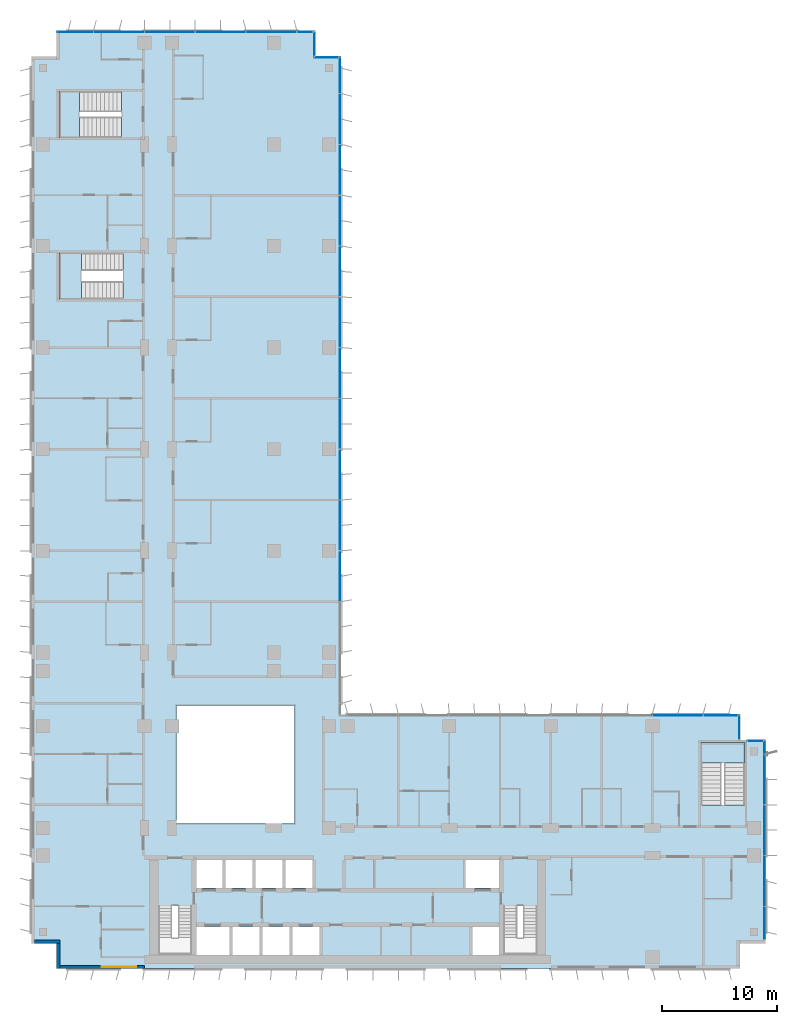
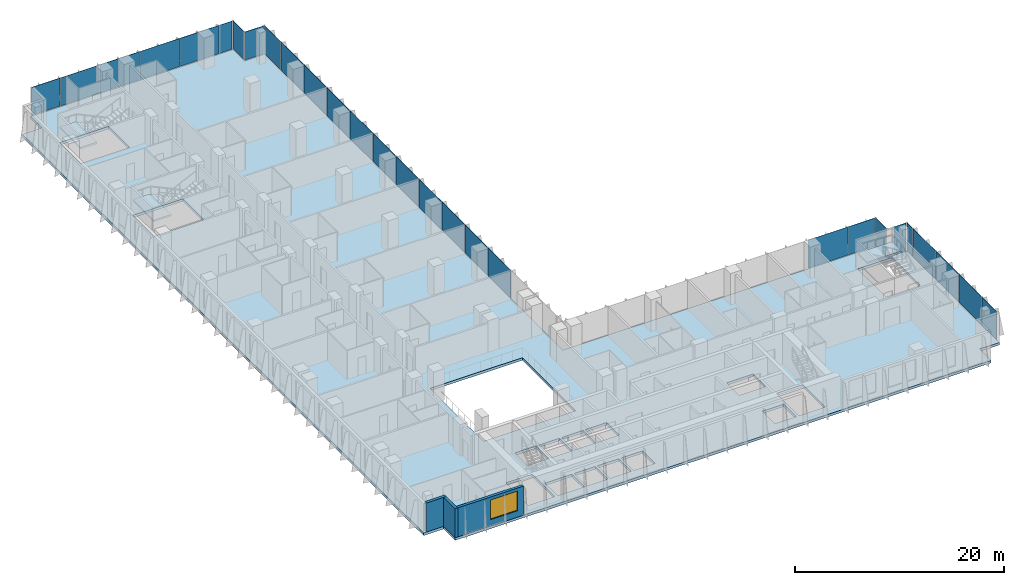
# One storey, part 11 of 22: 28 plates, 4 slabs, 3 walls, 1 window, 1 opening, 11 elements without a shape of their own.
"""IFC4 building model written with IfcOpenShell, lengths in metres."""

from ifc_helpers import new_model, si_unit, direction, frame, frame_2d, origin, origin_2d, place, context, subcontext, project, spatial, polyline, rectangle, outline, extrude, source, transform, mapped, material, layer, layer_set, type_object, element, fill, aggregate, save


model = new_model("IFC4")

# Units and contexts
model_context = context("Model", 3, precision=1e-05, world=origin(), true_north=direction((0.0, 1.0)))
body_context = subcontext(model_context, "Body", "Model", "MODEL_VIEW")
ifc_project = project(units=[si_unit("LENGTHUNIT", "METRE"), si_unit("AREAUNIT", "SQUARE_METRE"), si_unit("VOLUMEUNIT", "CUBIC_METRE"), si_unit("PLANEANGLEUNIT", "RADIAN"), si_unit("MASSUNIT", "GRAM", prefix="KILO")], contexts=[model_context])

# Site, building, storey
site_placement = place(None, origin())
site = spatial("IfcSite", under=ifc_project, at=site_placement, CompositionType="ELEMENT")
building_placement = place(site_placement, origin())
building = spatial("IfcBuilding", under=site, at=building_placement, Name="Kemantara Hotel Tower", CompositionType="ELEMENT")
storey_placement = place(building_placement, frame((0.0, 0.0, 145.699951171875)))
storey = spatial("IfcBuildingStorey", under=building, at=storey_placement, Name="L35", CompositionType="ELEMENT", Elevation=145.699951171875)

# Slab
ifc_material_1 = material(Name="Concrete fc 40 MPa", Category="concrete")
ifc_layer_1 = layer(ifc_material_1, 0.300048828125)
ifc_layer_set_1 = layer_set([ifc_layer_1], Name="Concrete fc 40 MPa")
slab_type_1 = type_object("IfcSlabType", Name="POST-TENSIONED FLAT PLATE 300", PredefinedType="FLOOR", material=ifc_layer_set_1)
slab_1_placement = place(storey_placement, frame((0.0, 0.0, -0.300048828125)))
element("IfcSlab", 1, at=slab_1_placement, inside=storey, type_object=slab_type_1, Name="FLOOR SLAB L35", PredefinedType="FLOOR", context=body_context, shape_type="SweptSolid", body=[
    extrude(outline(polyline([(26.800048828125, 79.0), (24.60009765625, 79.0), (24.60009765625, 81.199951171875), (2.199951171875, 81.199951171875), (2.199951171875, 79.0), (0.0, 79.0), (0.0, 2.199951171875), (2.199951171875, 2.199951171875), (2.199951171875, 0.0), (61.39990234375, 0.0), (61.39990234375, 2.199951171875), (63.60009765625, 2.199951171875), (63.60009765625, 19.800048828125), (61.39990234375, 19.800048828125), (61.39990234375, 22.0), (26.800048828125, 22.0), (26.800048828125, 79.0)]), holes=[polyline([(17.175048828125, 1.199951171875), (14.22509765625, 1.199951171875), (14.22509765625, 3.60009765625), (17.175048828125, 3.60009765625), (17.175048828125, 1.199951171875)]), polyline([(19.77490234375, 1.199951171875), (17.425048828125, 1.199951171875), (17.425048828125, 3.60009765625), (19.77490234375, 3.60009765625), (19.77490234375, 1.199951171875)]), polyline([(11.0, 1.199951171875), (11.0, 5.49951171875), (13.89990234375, 5.49951171875), (13.89990234375, 1.199951171875), (11.0, 1.199951171875)]), polyline([(16.574951171875, 7.0), (14.22509765625, 7.0), (14.22509765625, 9.39990234375), (16.574951171875, 9.39990234375), (16.574951171875, 7.0)]), polyline([(19.175048828125, 7.0), (16.824951171875, 7.0), (16.824951171875, 9.39990234375), (19.175048828125, 9.39990234375), (19.175048828125, 7.0)]), polyline([(22.800048828125, 12.60009765625), (12.60009765625, 12.60009765625), (12.60009765625, 22.800048828125), (22.800048828125, 22.800048828125), (22.800048828125, 12.60009765625)]), polyline([(2.39990234375, 62.0), (7.949462890625, 62.0), (7.949462890625, 58.0), (2.39990234375, 58.0), (2.39990234375, 62.0)]), polyline([(2.39990234375, 76.0), (7.79931640625, 76.0), (7.79931640625, 72.0), (2.39990234375, 72.0), (2.39990234375, 76.0)]), polyline([(22.375, 1.199951171875), (20.02490234375, 1.199951171875), (20.02490234375, 3.60009765625), (22.375, 3.60009765625), (22.375, 1.199951171875)]), polyline([(24.97509765625, 1.199951171875), (22.625, 1.199951171875), (22.625, 3.60009765625), (24.97509765625, 3.60009765625), (24.97509765625, 1.199951171875)]), polyline([(40.574951171875, 1.199951171875), (38.22509765625, 1.199951171875), (38.22509765625, 3.60009765625), (40.574951171875, 3.60009765625), (40.574951171875, 1.199951171875)]), polyline([(40.89990234375, 1.199951171875), (40.89990234375, 5.49951171875), (43.800048828125, 5.49951171875), (43.800048828125, 1.199951171875), (40.89990234375, 1.199951171875)]), polyline([(21.77490234375, 7.0), (19.425048828125, 7.0), (19.425048828125, 9.39990234375), (21.77490234375, 9.39990234375), (21.77490234375, 7.0)]), polyline([(24.375, 7.0), (22.02490234375, 7.0), (22.02490234375, 9.39990234375), (24.375, 9.39990234375), (24.375, 7.0)]), polyline([(40.574951171875, 7.0), (37.625, 7.0), (37.625, 9.39990234375), (40.574951171875, 9.39990234375), (40.574951171875, 7.0)]), polyline([(61.800048828125, 19.60009765625), (61.800048828125, 14.20068359375), (58.0, 14.20068359375), (58.0, 19.60009765625), (61.800048828125, 19.60009765625)])]), origin(), (0.0, 0.0, 1.0), 0.300048828125),
])

# Stair, slab
stair_type_1 = type_object("IfcStairType", Name="Stair 1800 wide 22 risers of 168 x 360 mm", PredefinedType="HALF_TURN_STAIR", material=ifc_material_1)
stair_1_placement = place(storey_placement, origin())
stair_1 = element("IfcStair", 2, at=stair_1_placement, inside=storey, type_object=stair_type_1, Name="L35 Exit stair ST3", PredefinedType="HALF_TURN_STAIR")
ifc_layer_2 = layer(ifc_material_1, 0.199951171875)
ifc_layer_set_2 = layer_set([ifc_layer_2], Name="Concrete fc 40 MPa")
slab_type_2 = type_object("IfcSlabType", Name="Stair landing 200 mm", PredefinedType="LANDING", material=ifc_layer_set_2)
slab_2_placement = place(storey_placement, frame((0.0, 0.0, 1.650146484375)))
slab_2 = element("IfcSlab", 3, at=slab_2_placement, type_object=slab_type_2, Name="ST3 landing 1", PredefinedType="LANDING", context=body_context, shape_type="SweptSolid", body=[
    extrude(outline(polyline([(61.800048828125, 17.800048828125), (61.800048828125, 19.60009765625), (58.0, 19.60009765625), (58.0, 17.800048828125), (61.800048828125, 17.800048828125)])), origin(), (0.0, 0.0, 1.0), 0.199951171875),
])
aggregate(stair_1, [slab_2])

stair_type_2 = type_object("IfcStairType", Name="Stair 1550 wide 22 risers of 168 x 360 mm", PredefinedType="HALF_TURN_STAIR", material=ifc_material_1)
stair_2_placement = place(storey_placement, origin())
stair_2 = element("IfcStair", 4, at=stair_2_placement, inside=storey, type_object=stair_type_2, Name="L35 Exit stair ST4", PredefinedType="HALF_TURN_STAIR")
slab_3_placement = place(storey_placement, frame((0.0, 0.0, 1.650146484375)))
slab_3 = element("IfcSlab", 5, at=slab_3_placement, type_object=slab_type_2, Name="ST4 landing 1", PredefinedType="LANDING", context=body_context, shape_type="SweptSolid", body=[
    extrude(outline(polyline([(4.35009765625, 62.0), (2.39990234375, 62.0), (2.39990234375, 58.0), (4.35009765625, 58.0), (4.35009765625, 62.0)])), origin(), (0.0, 0.0, 1.0), 0.199951171875),
])
aggregate(stair_2, [slab_3])

stair_3_placement = place(storey_placement, origin())
stair_3 = element("IfcStair", 6, at=stair_3_placement, inside=storey, type_object=stair_type_1, Name="L35 Exit stair ST6", PredefinedType="HALF_TURN_STAIR")
slab_4_placement = place(storey_placement, frame((0.0, 0.0, 1.650146484375)))
slab_4 = element("IfcSlab", 7, at=slab_4_placement, type_object=slab_type_2, Name="ST6 landing 1", PredefinedType="LANDING", context=body_context, shape_type="SweptSolid", body=[
    extrude(outline(polyline([(4.199951171875, 76.0), (2.39990234375, 76.0), (2.39990234375, 72.0), (4.199951171875, 72.0), (4.199951171875, 76.0)])), origin(), (0.0, 0.0, 1.0), 0.199951171875),
])
aggregate(stair_3, [slab_4])

# Curtain wall, plate
ifc_material_2 = material(Name="Low-E tinted double insulated glass 36 mm", Category="glass")
curtain_wall_type = type_object("IfcCurtainWallType", Name="TOWER CURTAIN WALL, FRONT FACES", PredefinedType="USERDEFINED", material=ifc_material_2)
curtain_wall_1_placement = place(storey_placement, origin())
curtain_wall_1 = element("IfcCurtainWall", 8, at=curtain_wall_1_placement, inside=storey, type_object=curtain_wall_type, Name="CW4 L35 T2-R10-1", ObjectType="TOWER CURTAIN WALL, FRONT FACES", PredefinedType="USERDEFINED")
ifc_layer_3 = layer(ifc_material_2, 0.035888671875)
ifc_layer_set_3 = layer_set([ifc_layer_3], Name="Low-E tinted double insulated glass 36 mm")
plate_type = type_object("IfcPlateType", Name="TOWER CURTAIN WALL, FRONT FACES PANEL", PredefinedType="CURTAIN_PANEL", material=ifc_layer_set_3)
shared_shape_1 = source(origin(), body_context, "Body", "SweptSolid", [
    extrude(rectangle(XDim=2.81005859375, YDim=0.035888671875, at=origin_2d()), origin(), (0.0, 0.0, 1.0), 3.280029296875),
])
plate_1_placement = place(storey_placement, frame((63.52490234375, 3.965087890625, 0.1201171875), z_axis=(0.0, 0.0, 1.0), x_axis=(0.0, 1.0, 0.0)))
plate_1 = element("IfcPlate", 9, at=plate_1_placement, type_object=plate_type, Name="CW4 glass panel T2-R10-1.1", PredefinedType="CURTAIN_PANEL", context=body_context, shape_type="MappedRepresentation", body=[
    mapped(shared_shape_1, transform((0.0, 0.0, 0.0))),
])

# Curtain wall, plates
curtain_wall_2_placement = place(storey_placement, origin())
curtain_wall_2 = element("IfcCurtainWall", 10, at=curtain_wall_2_placement, inside=storey, type_object=curtain_wall_type, Name="CW4 L35 T2-R01-1", ObjectType="TOWER CURTAIN WALL, FRONT FACES", PredefinedType="USERDEFINED")
shared_shape_2 = source(origin(), body_context, "Body", "SweptSolid", [
    extrude(rectangle(XDim=4.340087890625, YDim=0.035888671875, at=origin_2d()), origin(), (0.0, 0.0, 1.0), 3.280029296875),
])
plate_2_placement = place(storey_placement, frame((20.800048828125, 81.125, 0.1201171875), z_axis=(0.0, 0.0, 1.0), x_axis=(-1.0, 0.0, 0.0)))
plate_2 = element("IfcPlate", 11, at=plate_2_placement, type_object=plate_type, Name="CW4 glass panel T2-R01-1.2", PredefinedType="CURTAIN_PANEL", context=body_context, shape_type="MappedRepresentation", body=[
    mapped(shared_shape_2, transform((0.0, 0.0, 0.0))),
])
plate_3_placement = place(storey_placement, frame((16.39990234375, 81.125, 0.1201171875), z_axis=(0.0, 0.0, 1.0), x_axis=(-1.0, 0.0, 0.0)))
plate_3 = element("IfcPlate", 12, at=plate_3_placement, type_object=plate_type, Name="CW4 glass panel T2-R01-1.3", PredefinedType="CURTAIN_PANEL", context=body_context, shape_type="MappedRepresentation", body=[
    mapped(shared_shape_2, transform((0.0, 0.0, 0.0))),
])
plate_4_placement = place(storey_placement, frame((12.0, 81.125, 0.1201171875), z_axis=(0.0, 0.0, 1.0), x_axis=(-1.0, 0.0, 0.0)))
plate_4 = element("IfcPlate", 13, at=plate_4_placement, type_object=plate_type, Name="CW4 glass panel T2-R01-1.4", PredefinedType="CURTAIN_PANEL", context=body_context, shape_type="MappedRepresentation", body=[
    mapped(shared_shape_2, transform((0.0, 0.0, 0.0))),
])
plate_5_placement = place(storey_placement, frame((7.60009765625, 81.125, 0.1201171875), z_axis=(0.0, 0.0, 1.0), x_axis=(-1.0, 0.0, 0.0)))
plate_5 = element("IfcPlate", 14, at=plate_5_placement, type_object=plate_type, Name="CW4 glass panel T2-R01-1.5", PredefinedType="CURTAIN_PANEL", context=body_context, shape_type="MappedRepresentation", body=[
    mapped(shared_shape_2, transform((0.0, 0.0, 0.0))),
])

# Plate
plate_6_placement = place(storey_placement, frame((63.52490234375, 7.60009765625, 0.1201171875), z_axis=(0.0, 0.0, 1.0), x_axis=(0.0, 1.0, 0.0)))
plate_6 = element("IfcPlate", 15, at=plate_6_placement, type_object=plate_type, Name="CW4 glass panel T2-R10-1.2", PredefinedType="CURTAIN_PANEL", context=body_context, shape_type="MappedRepresentation", body=[
    mapped(shared_shape_2, transform((0.0, 0.0, 0.0))),
])

plate_7_placement = place(storey_placement, frame((63.52490234375, 12.0, 0.1201171875), z_axis=(0.0, 0.0, 1.0), x_axis=(0.0, 1.0, 0.0)))
plate_7 = element("IfcPlate", 16, at=plate_7_placement, type_object=plate_type, Name="CW4 glass panel T2-R10-1.3", PredefinedType="CURTAIN_PANEL", context=body_context, shape_type="MappedRepresentation", body=[
    mapped(shared_shape_2, transform((0.0, 0.0, 0.0))),
])

plate_8_placement = place(storey_placement, frame((63.52490234375, 16.39990234375, 0.1201171875), z_axis=(0.0, 0.0, 1.0), x_axis=(0.0, 1.0, 0.0)))
plate_8 = element("IfcPlate", 17, at=plate_8_placement, type_object=plate_type, Name="CW4 glass panel T2-R10-1.4", PredefinedType="CURTAIN_PANEL", context=body_context, shape_type="MappedRepresentation", body=[
    mapped(shared_shape_2, transform((0.0, 0.0, 0.0))),
])

# Curtain wall, plate
curtain_wall_3_placement = place(storey_placement, origin())
curtain_wall_3 = element("IfcCurtainWall", 18, at=curtain_wall_3_placement, inside=storey, type_object=curtain_wall_type, Name="CW4 L35 T2-R13-1", ObjectType="TOWER CURTAIN WALL, FRONT FACES", PredefinedType="USERDEFINED")
plate_9_placement = place(storey_placement, frame((56.0, 21.925048828125, 0.1201171875), z_axis=(0.0, 0.0, 1.0), x_axis=(-1.0, 0.0, 0.0)))
plate_9 = element("IfcPlate", 19, at=plate_9_placement, type_object=plate_type, Name="CW4 glass panel T2-R13-1.2", PredefinedType="CURTAIN_PANEL", context=body_context, shape_type="MappedRepresentation", body=[
    mapped(shared_shape_2, transform((0.0, 0.0, 0.0))),
])

# Curtain wall, plates
curtain_wall_4_placement = place(storey_placement, origin())
curtain_wall_4 = element("IfcCurtainWall", 20, at=curtain_wall_4_placement, inside=storey, type_object=curtain_wall_type, Name="CW4 L35 T2-R14-1", ObjectType="TOWER CURTAIN WALL, FRONT FACES", PredefinedType="USERDEFINED")
plate_10_placement = place(storey_placement, frame((26.72509765625, 34.0, 0.1201171875), z_axis=(0.0, 0.0, 1.0), x_axis=(0.0, 1.0, 0.0)))
plate_10 = element("IfcPlate", 21, at=plate_10_placement, type_object=plate_type, Name="CW4 glass panel T2-R14-1.4", PredefinedType="CURTAIN_PANEL", context=body_context, shape_type="MappedRepresentation", body=[
    mapped(shared_shape_2, transform((0.0, 0.0, 0.0))),
])
plate_11_placement = place(storey_placement, frame((26.72509765625, 38.39990234375, 0.1201171875), z_axis=(0.0, 0.0, 1.0), x_axis=(0.0, 1.0, 0.0)))
plate_11 = element("IfcPlate", 22, at=plate_11_placement, type_object=plate_type, Name="CW4 glass panel T2-R14-1.5", PredefinedType="CURTAIN_PANEL", context=body_context, shape_type="MappedRepresentation", body=[
    mapped(shared_shape_2, transform((0.0, 0.0, 0.0))),
])
plate_12_placement = place(storey_placement, frame((26.72509765625, 42.800048828125, 0.1201171875), z_axis=(0.0, 0.0, 1.0), x_axis=(0.0, 1.0, 0.0)))
plate_12 = element("IfcPlate", 23, at=plate_12_placement, type_object=plate_type, Name="CW4 glass panel T2-R14-1.6", PredefinedType="CURTAIN_PANEL", context=body_context, shape_type="MappedRepresentation", body=[
    mapped(shared_shape_2, transform((0.0, 0.0, 0.0))),
])
plate_13_placement = place(storey_placement, frame((26.72509765625, 47.199951171875, 0.1201171875), z_axis=(0.0, 0.0, 1.0), x_axis=(0.0, 1.0, 0.0)))
plate_13 = element("IfcPlate", 24, at=plate_13_placement, type_object=plate_type, Name="CW4 glass panel T2-R14-1.7", PredefinedType="CURTAIN_PANEL", context=body_context, shape_type="MappedRepresentation", body=[
    mapped(shared_shape_2, transform((0.0, 0.0, 0.0))),
])
plate_14_placement = place(storey_placement, frame((26.72509765625, 51.60009765625, 0.1201171875), z_axis=(0.0, 0.0, 1.0), x_axis=(0.0, 1.0, 0.0)))
plate_14 = element("IfcPlate", 25, at=plate_14_placement, type_object=plate_type, Name="CW4 glass panel T2-R14-1.8", PredefinedType="CURTAIN_PANEL", context=body_context, shape_type="MappedRepresentation", body=[
    mapped(shared_shape_2, transform((0.0, 0.0, 0.0))),
])
plate_15_placement = place(storey_placement, frame((26.72509765625, 56.0, 0.1201171875), z_axis=(0.0, 0.0, 1.0), x_axis=(0.0, 1.0, 0.0)))
plate_15 = element("IfcPlate", 26, at=plate_15_placement, type_object=plate_type, Name="CW4 glass panel T2-R14-1.9", PredefinedType="CURTAIN_PANEL", context=body_context, shape_type="MappedRepresentation", body=[
    mapped(shared_shape_2, transform((0.0, 0.0, 0.0))),
])
plate_16_placement = place(storey_placement, frame((26.72509765625, 60.39990234375, 0.1201171875), z_axis=(0.0, 0.0, 1.0), x_axis=(0.0, 1.0, 0.0)))
plate_16 = element("IfcPlate", 27, at=plate_16_placement, type_object=plate_type, Name="CW4 glass panel T2-R14-1.10", PredefinedType="CURTAIN_PANEL", context=body_context, shape_type="MappedRepresentation", body=[
    mapped(shared_shape_2, transform((0.0, 0.0, 0.0))),
])
plate_17_placement = place(storey_placement, frame((26.72509765625, 64.800048828125, 0.1201171875), z_axis=(0.0, 0.0, 1.0), x_axis=(0.0, 1.0, 0.0)))
plate_17 = element("IfcPlate", 28, at=plate_17_placement, type_object=plate_type, Name="CW4 glass panel T2-R14-1.11", PredefinedType="CURTAIN_PANEL", context=body_context, shape_type="MappedRepresentation", body=[
    mapped(shared_shape_2, transform((0.0, 0.0, 0.0))),
])
plate_18_placement = place(storey_placement, frame((26.72509765625, 69.199951171875, 0.1201171875), z_axis=(0.0, 0.0, 1.0), x_axis=(0.0, 1.0, 0.0)))
plate_18 = element("IfcPlate", 29, at=plate_18_placement, type_object=plate_type, Name="CW4 glass panel T2-R14-1.12", PredefinedType="CURTAIN_PANEL", context=body_context, shape_type="MappedRepresentation", body=[
    mapped(shared_shape_2, transform((0.0, 0.0, 0.0))),
])
plate_19_placement = place(storey_placement, frame((26.72509765625, 73.60009765625, 0.1201171875), z_axis=(0.0, 0.0, 1.0), x_axis=(0.0, 1.0, 0.0)))
plate_19 = element("IfcPlate", 30, at=plate_19_placement, type_object=plate_type, Name="CW4 glass panel T2-R14-1.13", PredefinedType="CURTAIN_PANEL", context=body_context, shape_type="MappedRepresentation", body=[
    mapped(shared_shape_2, transform((0.0, 0.0, 0.0))),
])

# Plate
shared_shape_3 = source(origin(), body_context, "Body", "SweptSolid", [
    extrude(rectangle(XDim=1.360107421875, YDim=0.035888671875, at=origin_2d()), origin(), (0.0, 0.0, 1.0), 3.280029296875),
])
plate_20_placement = place(storey_placement, frame((23.7099609375, 81.125, 0.1201171875), z_axis=(0.0, 0.0, 1.0), x_axis=(-1.0, 0.0, 0.0)))
plate_20 = element("IfcPlate", 31, at=plate_20_placement, type_object=plate_type, Name="CW4 glass panel T2-R01-1.1", PredefinedType="CURTAIN_PANEL", context=body_context, shape_type="MappedRepresentation", body=[
    mapped(shared_shape_3, transform((0.0, 0.0, 0.0))),
])

shared_shape_4 = source(origin(), body_context, "Body", "SweptSolid", [
    extrude(rectangle(XDim=3.110107421875, YDim=0.035888671875, at=origin_2d()), origin(), (0.0, 0.0, 1.0), 3.280029296875),
])
plate_21_placement = place(storey_placement, frame((3.81494140625, 81.125, 0.1201171875), z_axis=(0.0, 0.0, 1.0), x_axis=(-1.0, 0.0, 0.0)))
plate_21 = element("IfcPlate", 32, at=plate_21_placement, type_object=plate_type, Name="CW4 glass panel T2-R01-1.6", PredefinedType="CURTAIN_PANEL", context=body_context, shape_type="MappedRepresentation", body=[
    mapped(shared_shape_4, transform((0.0, 0.0, 0.0))),
])

aggregate(curtain_wall_2, [plate_20, plate_2, plate_3, plate_4, plate_5, plate_21])

plate_22_placement = place(storey_placement, frame((26.72509765625, 77.385009765625, 0.1201171875), z_axis=(0.0, 0.0, 1.0), x_axis=(0.0, 1.0, 0.0)))
plate_22 = element("IfcPlate", 33, at=plate_22_placement, type_object=plate_type, Name="CW4 glass panel T2-R14-1.14", PredefinedType="CURTAIN_PANEL", context=body_context, shape_type="MappedRepresentation", body=[
    mapped(shared_shape_4, transform((0.0, 0.0, 0.0))),
])

aggregate(curtain_wall_4, [plate_10, plate_11, plate_12, plate_13, plate_14, plate_15, plate_16, plate_17, plate_18, plate_19, plate_22])

# Curtain wall, plate
curtain_wall_5_placement = place(storey_placement, origin())
curtain_wall_5 = element("IfcCurtainWall", 34, at=curtain_wall_5_placement, inside=storey, type_object=curtain_wall_type, Name="CW4 L35 T2-R00-1", ObjectType="TOWER CURTAIN WALL, FRONT FACES", PredefinedType="USERDEFINED")
shared_shape_5 = source(origin(), body_context, "Body", "SweptSolid", [
    extrude(rectangle(XDim=2.080078125, YDim=0.035888671875, at=origin_2d()), origin(), (0.0, 0.0, 1.0), 3.280029296875),
])
plate_23_placement = place(storey_placement, frame((24.52490234375, 80.10009765625, 0.1201171875), z_axis=(0.0, 0.0, 1.0), x_axis=(0.0, 1.0, 0.0)))
plate_23 = element("IfcPlate", 35, at=plate_23_placement, type_object=plate_type, Name="CW4 glass panel T2-R00-1.1", PredefinedType="CURTAIN_PANEL", context=body_context, shape_type="MappedRepresentation", body=[
    mapped(shared_shape_5, transform((0.0, 0.0, 0.0))),
])
aggregate(curtain_wall_5, [plate_23])

curtain_wall_6_placement = place(storey_placement, origin())
curtain_wall_6 = element("IfcCurtainWall", 36, at=curtain_wall_6_placement, inside=storey, type_object=curtain_wall_type, Name="CW4 L35 T2-R12-1", ObjectType="TOWER CURTAIN WALL, FRONT FACES", PredefinedType="USERDEFINED")
plate_24_placement = place(storey_placement, frame((61.324951171875, 20.89990234375, 0.1201171875), z_axis=(0.0, 0.0, 1.0), x_axis=(0.0, 1.0, 0.0)))
plate_24 = element("IfcPlate", 37, at=plate_24_placement, type_object=plate_type, Name="CW4 glass panel T2-R12-1.1", PredefinedType="CURTAIN_PANEL", context=body_context, shape_type="MappedRepresentation", body=[
    mapped(shared_shape_5, transform((0.0, 0.0, 0.0))),
])
aggregate(curtain_wall_6, [plate_24])

curtain_wall_7_placement = place(storey_placement, origin())
curtain_wall_7 = element("IfcCurtainWall", 38, at=curtain_wall_7_placement, inside=storey, type_object=curtain_wall_type, Name="CW4 L35 T2-R15-1", ObjectType="TOWER CURTAIN WALL, FRONT FACES", PredefinedType="USERDEFINED")
plate_25_placement = place(storey_placement, frame((25.550048828125, 78.925048828125, 0.1201171875), z_axis=(0.0, 0.0, 1.0), x_axis=(-1.0, 0.0, 0.0)))
plate_25 = element("IfcPlate", 39, at=plate_25_placement, type_object=plate_type, Name="CW4 glass panel T2-R15-1.1", PredefinedType="CURTAIN_PANEL", context=body_context, shape_type="MappedRepresentation", body=[
    mapped(shared_shape_5, transform((0.0, 0.0, 0.0))),
])
aggregate(curtain_wall_7, [plate_25])

# Plate
shared_shape_6 = source(origin(), body_context, "Body", "SweptSolid", [
    extrude(rectangle(XDim=2.9599609375, YDim=0.035888671875, at=origin_2d()), origin(), (0.0, 0.0, 1.0), 3.280029296875),
])
plate_26_placement = place(storey_placement, frame((59.7099609375, 21.925048828125, 0.1201171875), z_axis=(0.0, 0.0, 1.0), x_axis=(-1.0, 0.0, 0.0)))
plate_26 = element("IfcPlate", 40, at=plate_26_placement, type_object=plate_type, Name="CW4 glass panel T2-R13-1.1", PredefinedType="CURTAIN_PANEL", context=body_context, shape_type="MappedRepresentation", body=[
    mapped(shared_shape_6, transform((0.0, 0.0, 0.0))),
])

aggregate(curtain_wall_3, [plate_26, plate_9])

shared_shape_7 = source(origin(), body_context, "Body", "SweptSolid", [
    extrude(rectangle(XDim=1.110107421875, YDim=0.035888671875, at=origin_2d()), origin(), (0.0, 0.0, 1.0), 3.280029296875),
])
plate_27_placement = place(storey_placement, frame((63.52490234375, 19.18505859375, 0.1201171875), z_axis=(0.0, 0.0, 1.0), x_axis=(0.0, 1.0, 0.0)))
plate_27 = element("IfcPlate", 41, at=plate_27_placement, type_object=plate_type, Name="CW4 glass panel T2-R10-1.5", PredefinedType="CURTAIN_PANEL", context=body_context, shape_type="MappedRepresentation", body=[
    mapped(shared_shape_7, transform((0.0, 0.0, 0.0))),
])

aggregate(curtain_wall_1, [plate_1, plate_6, plate_7, plate_8, plate_27])

# Curtain wall, plate
curtain_wall_8_placement = place(storey_placement, origin())
curtain_wall_8 = element("IfcCurtainWall", 42, at=curtain_wall_8_placement, inside=storey, type_object=curtain_wall_type, Name="CW4 L35 T2-R11-1", ObjectType="TOWER CURTAIN WALL, FRONT FACES", PredefinedType="USERDEFINED")
shared_shape_8 = source(origin(), body_context, "Body", "SweptSolid", [
    extrude(rectangle(XDim=1.330078125, YDim=0.035888671875, at=origin_2d()), origin(), (0.0, 0.0, 1.0), 3.280029296875),
])
plate_28_placement = place(storey_placement, frame((62.72509765625, 19.72509765625, 0.1201171875), z_axis=(0.0, 0.0, 1.0), x_axis=(-1.0, 0.0, 0.0)))
plate_28 = element("IfcPlate", 43, at=plate_28_placement, type_object=plate_type, Name="CW4 glass panel T2-R11-1.1", PredefinedType="CURTAIN_PANEL", context=body_context, shape_type="MappedRepresentation", body=[
    mapped(shared_shape_8, transform((0.0, 0.0, 0.0))),
])
aggregate(curtain_wall_8, [plate_28])

# Walls
ifc_material_3 = material(Name="Bronze anodised aluminium cladding on insulated steel stud wall", Category="steel")
ifc_layer_4 = layer(ifc_material_3, 0.300048828125)
ifc_layer_set_4 = layer_set([ifc_layer_4], Name="Bronze anodised aluminium cladding on insulated steel stud wall")
wall_type = type_object("IfcWallType", Name="BRONZE METAL-CLAD EXTERNAL WALL 300", PredefinedType="STANDARD", material=ifc_layer_set_4)
for number, where, z_axis, x_axis, name in (
    (44, (0.300048828125, 2.35009765625, 0.0), (0.0, 0.0, 1.0), (1.0, 0.0, 0.0), "EXTERNAL WALL L35 T2-R05"),
    (45, (2.35009765625, 2.199951171875, 0.0), (0.0, 0.0, 1.0), (0.0, -1.0, 0.0), "EXTERNAL WALL L35 T2-R06"),
):
    element("IfcWall", number, at=place(storey_placement, frame(where, z_axis=z_axis, x_axis=x_axis)), inside=storey, type_object=wall_type, Name=name, PredefinedType="STANDARD", context=body_context, shape_type="SweptSolid", body=[
        extrude(rectangle(XDim=2.199951171875, YDim=0.300048828125, at=frame_2d((1.10009765625, 0.0))), origin(), (0.0, 0.0, 1.0), 3.400146484375),
    ])

# Wall, opening, window
wall_placement = place(storey_placement, frame((2.5, 0.14990234375, 0.0), z_axis=(0.0, 0.0, 1.0), x_axis=(1.0, 0.0, 0.0)))
wall = element("IfcWall", 46, at=wall_placement, inside=storey, type_object=wall_type, Name="EXTERNAL WALL L35 T2-R07", PredefinedType="STANDARD", context=body_context, shape_type="SweptSolid", body=[
    extrude(rectangle(XDim=7.300048828125, YDim=0.300048828125, at=frame_2d((3.64990234375, 0.0))), origin(), (0.0, 0.0, 1.0), 3.400146484375),
])
opening_placement = place(wall_placement, frame((3.60009765625, 0.0, 0.75)))
opening = element("IfcOpeningElement", 47, at=opening_placement, cuts=wall, Name="Opening W1", PredefinedType="OPENING", context=body_context, shape_type="SweptSolid", body=[
    extrude(rectangle(XDim=3.0, YDim=2.300048828125, at=frame_2d((1.5, 1.14990234375))), frame((0.0, 0.159912109375, 0.0), z_axis=(0.0, -1.0, 0.0), x_axis=(1.0, 0.0, 0.0)), (0.0, 0.0, 1.0), 0.320068359375),
])
ifc_material_4 = material(Name="Low-E tinted double insulated glass in bronze anodised aluminium frame", Category="aluminium")
window_type = type_object("IfcWindowType", Name="CHICAGO WINDOW, TRIPLE PANEL 3000x2300", PartitioningType="TRIPLE_PANEL_VERTICAL", PredefinedType="WINDOW", material=ifc_material_4)
window_placement = place(opening_placement, origin())
window = element("IfcWindow", 48, at=window_placement, inside=storey, type_object=window_type, Name="CHICAGO WINDOW L35 T2-R07-54", OverallHeight=2.300048828125, OverallWidth=3.0, PartitioningType="SINGLE_PANEL", PredefinedType="WINDOW", context=body_context, shape_type="SweptSolid", body=[
    extrude(rectangle(XDim=3.0, YDim=2.300048828125, at=frame_2d((1.5, 1.14990234375))), frame((0.0, 0.030029296875, 0.0), z_axis=(0.0, -1.0, 0.0), x_axis=(1.0, 0.0, 0.0)), (0.0, 0.0, 1.0), 0.06005859375),
])
fill(opening, window)

save(model, "model.ifc")
